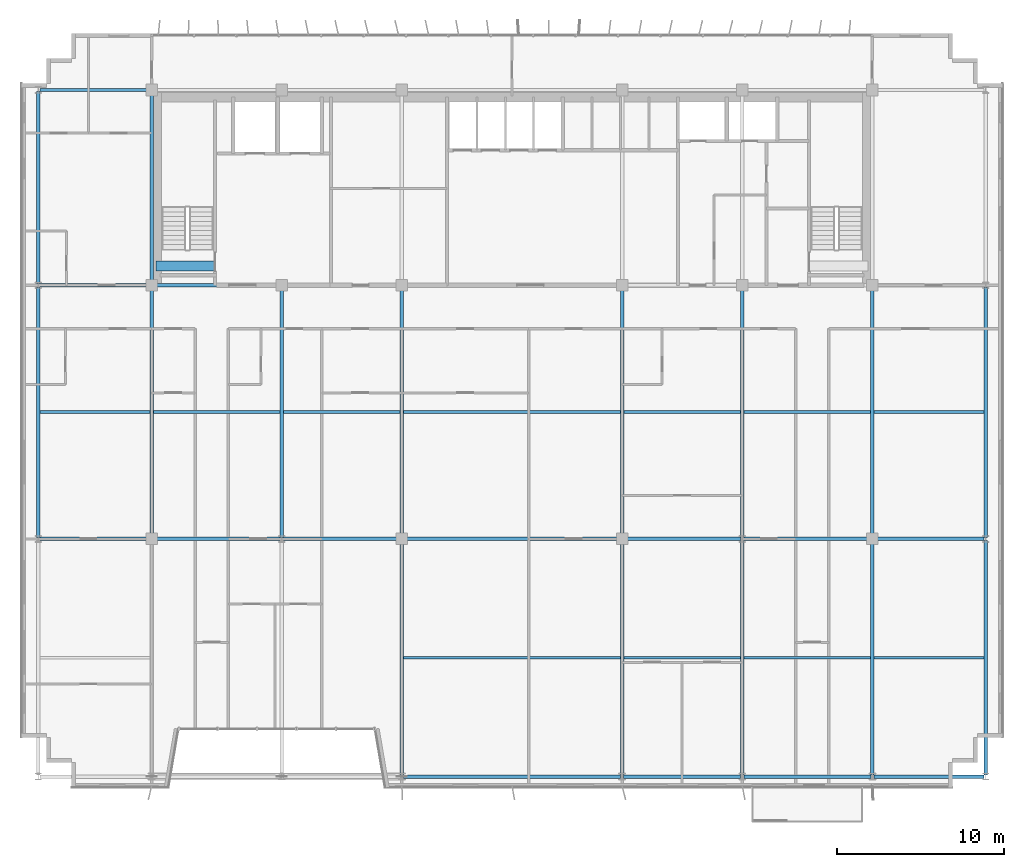
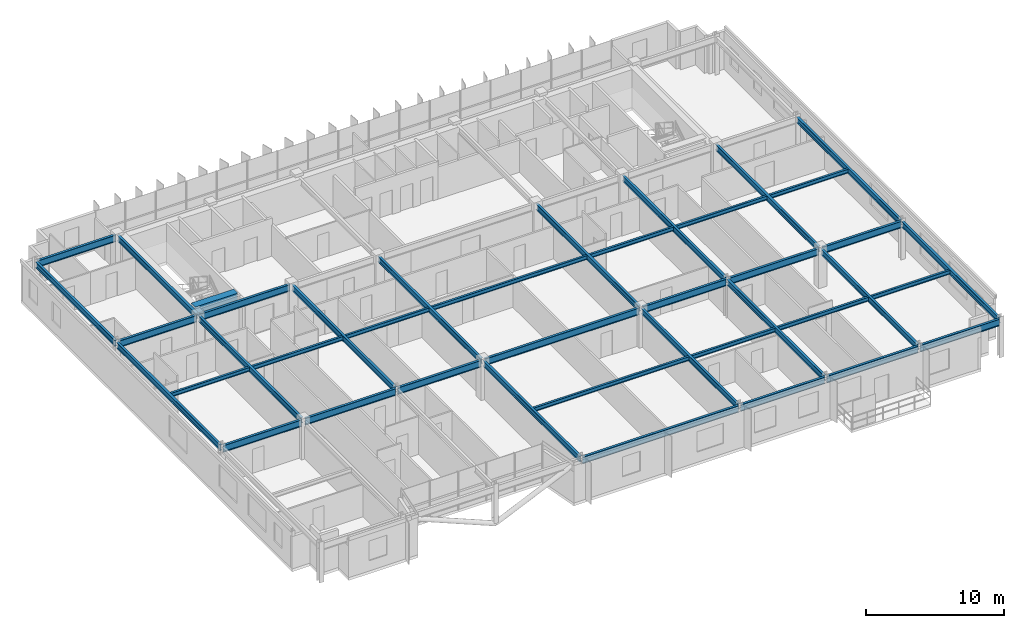
# One storey, part 6 of 24: 41 beams.
"""IFC4 building model written with IfcOpenShell, lengths in metres."""

from ifc_helpers import new_model, si_unit, direction, frame, origin, origin_2d, place, context, subcontext, project, spatial, rectangle, i_section, extrude, source, transform, mapped, material, material_profile, profile_set, type_object, element, save


model = new_model("IFC4")

# Units and contexts
model_context = context("Model", 3, precision=1e-05, world=origin(), true_north=direction((0.0, 1.0)))
body_context = subcontext(model_context, "Body", "Model", "MODEL_VIEW")
ifc_project = project(units=[si_unit("LENGTHUNIT", "METRE"), si_unit("AREAUNIT", "SQUARE_METRE"), si_unit("VOLUMEUNIT", "CUBIC_METRE"), si_unit("PLANEANGLEUNIT", "RADIAN"), si_unit("MASSUNIT", "GRAM", prefix="KILO")], contexts=[model_context])

# Site, building, storey
site_placement = place(None, origin())
site = spatial("IfcSite", under=ifc_project, at=site_placement, CompositionType="ELEMENT")
building_placement = place(site_placement, origin())
building = spatial("IfcBuilding", under=site, at=building_placement, Name="Trelvane Seafront Commons", CompositionType="ELEMENT")
storey_placement = place(building_placement, frame((0.0, 0.0, 175.300048828125)))
storey = spatial("IfcBuildingStorey", under=building, at=storey_placement, Name="L46", CompositionType="ELEMENT", Elevation=175.300048828125)

# Beams
ifc_material_1 = material(Name="Concrete C60/75", Category="concrete")
ifc_material_profile_1 = material_profile(ifc_material_1, rectangle(XDim=0.60009765625, YDim=0.89990234375, at=origin_2d()), Name="RC-600x900")
ifc_profile_set_1 = profile_set([ifc_material_profile_1], Name="Concrete C60/75")
beam_type_1 = type_object("IfcBeamType", Name="STR-LNT-RC600x900", PredefinedType="LINTEL", material=ifc_profile_set_1)
shared_shape_1 = source(origin(), body_context, "Body", "SweptSolid", [
    extrude(rectangle(XDim=0.60009765625, YDim=0.89990234375, at=origin_2d()), origin(), (0.0, 0.0, 1.0), 3.5498046875),
])
beam_1_placement = place(storey_placement, frame((15.85009765625, 34.550048828125, 2.89990234375), z_axis=(1.0, 0.0, 0.0), x_axis=(0.0, 1.0, 0.0)))
element("IfcBeam", 1, at=beam_1_placement, inside=storey, type_object=beam_type_1, Name="L46 Core Coupling Lintel Beam CB-65", PredefinedType="LINTEL", context=body_context, shape_type="MappedRepresentation", body=[
    mapped(shared_shape_1, transform((0.0, 0.0, 0.0), x_axis=(1.0, 0.0, 0.0), y_axis=(0.0, 1.0, 0.0), z_axis=(0.0, 0.0, 1.0), scale=1.0)),
])
ifc_material_2 = material(Name="Steel SM355 (S355)", Category="steel")
ifc_material_profile_2 = material_profile(ifc_material_2, i_section(OverallWidth=0.199951171875, OverallDepth=0.5, WebThickness=0.010009765625, FlangeThickness=0.01611328125, at=origin_2d()), Name="H-500x200x10x16")
ifc_profile_set_2 = profile_set([ifc_material_profile_2], Name="Steel SM355 (S355)")
beam_type_2 = type_object("IfcBeamType", Name="STR-BM-H500", PredefinedType="BEAM", material=ifc_profile_set_2)
shared_shape_2 = source(origin(), body_context, "Body", "SweptSolid", [
    extrude(i_section(OverallWidth=0.199951171875, OverallDepth=0.5, WebThickness=0.010009765625, FlangeThickness=0.01611328125, at=origin_2d()), origin(), (0.0, 0.0, 1.0), 14.89990234375),
])
for number, where, z_axis, x_axis, name in (
    (2, (15.60009765625, 18.35009765625, 3.099853515625), (0.0, 1.0, 0.0), (-1.0, 0.0, 0.0), "L46 Primary Girder G-33"),
    (3, (30.60009765625, 18.35009765625, 3.099853515625), (0.0, 1.0, 0.0), (-1.0, 0.0, 0.0), "L46 Primary Girder G-39"),
    (4, (43.800048828125, 18.35009765625, 3.099853515625), (0.0, 1.0, 0.0), (-1.0, 0.0, 0.0), "L46 Primary Girder G-42"),
    (5, (58.800048828125, 18.35009765625, 3.099853515625), (0.0, 1.0, 0.0), (-1.0, 0.0, 0.0), "L46 Primary Girder G-48"),
):
    element("IfcBeam", number, at=place(storey_placement, frame(where, z_axis=z_axis, x_axis=x_axis)), inside=storey, type_object=beam_type_2, Name=name, PredefinedType="BEAM", context=body_context, shape_type="MappedRepresentation", body=[
        mapped(shared_shape_2, transform((0.0, 0.0, 0.0), x_axis=(1.0, 0.0, 0.0), y_axis=(0.0, 1.0, 0.0), z_axis=(0.0, 0.0, 1.0), scale=1.0)),
    ])
shared_shape_3 = source(origin(), body_context, "Body", "SweptSolid", [
    extrude(i_section(OverallWidth=0.199951171875, OverallDepth=0.5, WebThickness=0.010009765625, FlangeThickness=0.01611328125, at=origin_2d()), origin(), (0.0, 0.0, 1.0), 11.39990234375),
])
beam_2_placement = place(storey_placement, frame((15.60009765625, 33.550048828125, 3.099853515625), z_axis=(0.0, 1.0, 0.0), x_axis=(-1.0, 0.0, 0.0)))
element("IfcBeam", 6, at=beam_2_placement, inside=storey, type_object=beam_type_2, Name="L46 Primary Girder G-34", PredefinedType="BEAM", context=body_context, shape_type="MappedRepresentation", body=[
    mapped(shared_shape_3, transform((0.0, 0.0, 0.0), x_axis=(1.0, 0.0, 0.0), y_axis=(0.0, 1.0, 0.0), z_axis=(0.0, 0.0, 1.0), scale=1.0)),
])
ifc_material_profile_3 = material_profile(ifc_material_2, i_section(OverallWidth=0.175048828125, OverallDepth=0.35009765625, WebThickness=0.007080078125, FlangeThickness=0.010986328125, at=origin_2d()), Name="H-350x175x7x11")
ifc_profile_set_3 = profile_set([ifc_material_profile_3], Name="Steel SM355 (S355)")
beam_type_3 = type_object("IfcBeamType", Name="STR-JST-H350", PredefinedType="JOIST", material=ifc_profile_set_3)
shared_shape_4 = source(origin(), body_context, "Body", "SweptSolid", [
    extrude(i_section(OverallWidth=0.175048828125, OverallDepth=0.35009765625, WebThickness=0.007080078125, FlangeThickness=0.010986328125, at=origin_2d()), origin(), (0.0, 0.0, 1.0), 6.60009765625),
])
for number, where, z_axis, x_axis, name in (
    (7, (58.89990234375, 11.074951171875, 3.175048828125), (1.0, 0.0, 0.0), (0.0, 1.0, 0.0), "L46 Secondary Floor Joist B-57"),
    (8, (8.89990234375, 25.800048828125, 3.175048828125), (1.0, 0.0, 0.0), (0.0, 1.0, 0.0), "L46 Secondary Floor Joist B-58"),
    (9, (58.89990234375, 25.800048828125, 3.175048828125), (1.0, 0.0, 0.0), (0.0, 1.0, 0.0), "L46 Secondary Floor Joist B-64"),
):
    element("IfcBeam", number, at=place(storey_placement, frame(where, z_axis=z_axis, x_axis=x_axis)), inside=storey, type_object=beam_type_3, Name=name, PredefinedType="JOIST", context=body_context, shape_type="MappedRepresentation", body=[
        mapped(shared_shape_4, transform((0.0, 0.0, 0.0), x_axis=(1.0, 0.0, 0.0), y_axis=(0.0, 1.0, 0.0), z_axis=(0.0, 0.0, 1.0), scale=1.0)),
    ])
shared_shape_5 = source(origin(), body_context, "Body", "SweptSolid", [
    extrude(i_section(OverallWidth=0.175048828125, OverallDepth=0.35009765625, WebThickness=0.007080078125, FlangeThickness=0.010986328125, at=origin_2d()), origin(), (0.0, 0.0, 1.0), 7.60009765625),
])
beam_3_placement = place(storey_placement, frame((15.699951171875, 25.800048828125, 3.175048828125), z_axis=(1.0, 0.0, 0.0), x_axis=(0.0, 1.0, 0.0)))
element("IfcBeam", 10, at=beam_3_placement, inside=storey, type_object=beam_type_3, Name="L46 Secondary Floor Joist B-59", PredefinedType="JOIST", context=body_context, shape_type="MappedRepresentation", body=[
    mapped(shared_shape_5, transform((0.0, 0.0, 0.0), x_axis=(1.0, 0.0, 0.0), y_axis=(0.0, 1.0, 0.0), z_axis=(0.0, 0.0, 1.0), scale=1.0)),
])
shared_shape_6 = source(origin(), body_context, "Body", "SweptSolid", [
    extrude(i_section(OverallWidth=0.175048828125, OverallDepth=0.35009765625, WebThickness=0.007080078125, FlangeThickness=0.010986328125, at=origin_2d()), origin(), (0.0, 0.0, 1.0), 7.0),
])
for number, where, z_axis, x_axis, name in (
    (11, (43.89990234375, 11.074951171875, 3.175048828125), (1.0, 0.0, 0.0), (0.0, 1.0, 0.0), "L46 Secondary Floor Joist B-55"),
    (12, (23.5, 25.800048828125, 3.175048828125), (1.0, 0.0, 0.0), (0.0, 1.0, 0.0), "L46 Secondary Floor Joist B-60"),
    (13, (43.89990234375, 25.800048828125, 3.175048828125), (1.0, 0.0, 0.0), (0.0, 1.0, 0.0), "L46 Secondary Floor Joist B-62"),
):
    element("IfcBeam", number, at=place(storey_placement, frame(where, z_axis=z_axis, x_axis=x_axis)), inside=storey, type_object=beam_type_3, Name=name, PredefinedType="JOIST", context=body_context, shape_type="MappedRepresentation", body=[
        mapped(shared_shape_6, transform((0.0, 0.0, 0.0), x_axis=(1.0, 0.0, 0.0), y_axis=(0.0, 1.0, 0.0), z_axis=(0.0, 0.0, 1.0), scale=1.0)),
    ])
shared_shape_7 = source(origin(), body_context, "Body", "SweptSolid", [
    extrude(i_section(OverallWidth=0.175048828125, OverallDepth=0.35009765625, WebThickness=0.007080078125, FlangeThickness=0.010986328125, at=origin_2d()), origin(), (0.0, 0.0, 1.0), 13.0),
])
for number, where, z_axis, x_axis, name in (
    (14, (30.699951171875, 11.074951171875, 3.175048828125), (1.0, 0.0, 0.0), (0.0, 1.0, 0.0), "L46 Secondary Floor Joist B-54"),
    (15, (30.699951171875, 25.800048828125, 3.175048828125), (1.0, 0.0, 0.0), (0.0, 1.0, 0.0), "L46 Secondary Floor Joist B-61"),
):
    element("IfcBeam", number, at=place(storey_placement, frame(where, z_axis=z_axis, x_axis=x_axis)), inside=storey, type_object=beam_type_3, Name=name, PredefinedType="JOIST", context=body_context, shape_type="MappedRepresentation", body=[
        mapped(shared_shape_7, transform((0.0, 0.0, 0.0), x_axis=(1.0, 0.0, 0.0), y_axis=(0.0, 1.0, 0.0), z_axis=(0.0, 0.0, 1.0), scale=1.0)),
    ])
shared_shape_8 = source(origin(), body_context, "Body", "SweptSolid", [
    extrude(i_section(OverallWidth=0.175048828125, OverallDepth=0.35009765625, WebThickness=0.007080078125, FlangeThickness=0.010986328125, at=origin_2d()), origin(), (0.0, 0.0, 1.0), 7.599853515625),
])
for number, where, z_axis, x_axis, name in (
    (16, (51.10009765625, 11.074951171875, 3.175048828125), (1.0, 0.0, 0.0), (0.0, 1.0, 0.0), "L46 Secondary Floor Joist B-56"),
    (17, (51.10009765625, 25.800048828125, 3.175048828125), (1.0, 0.0, 0.0), (0.0, 1.0, 0.0), "L46 Secondary Floor Joist B-63"),
):
    element("IfcBeam", number, at=place(storey_placement, frame(where, z_axis=z_axis, x_axis=x_axis)), inside=storey, type_object=beam_type_3, Name=name, PredefinedType="JOIST", context=body_context, shape_type="MappedRepresentation", body=[
        mapped(shared_shape_8, transform((0.0, 0.0, 0.0), x_axis=(1.0, 0.0, 0.0), y_axis=(0.0, 1.0, 0.0), z_axis=(0.0, 0.0, 1.0), scale=1.0)),
    ])
ifc_material_profile_4 = material_profile(ifc_material_2, i_section(OverallWidth=0.199951171875, OverallDepth=0.60009765625, WebThickness=0.010986328125, FlangeThickness=0.01708984375, at=origin_2d()), Name="H-600x200x11x17")
ifc_profile_set_4 = profile_set([ifc_material_profile_4], Name="Steel SM355 (S355)")
beam_type_4 = type_object("IfcBeamType", Name="STR-SPD-H600", PredefinedType="SPANDREL", material=ifc_profile_set_4)
shared_shape_9 = source(origin(), body_context, "Body", "SweptSolid", [
    extrude(i_section(OverallWidth=0.199951171875, OverallDepth=0.60009765625, WebThickness=0.010986328125, FlangeThickness=0.01708984375, at=origin_2d()), origin(), (0.0, 0.0, 1.0), 6.60986328125),
])
beam_4_placement = place(storey_placement, frame((58.89501953125, 3.949951171875, 3.050048828125), z_axis=(1.0, 0.0, 0.0), x_axis=(0.0, 1.0, 0.0)))
element("IfcBeam", 18, at=beam_4_placement, inside=storey, type_object=beam_type_4, Name="L46 Primary Girder G-07", PredefinedType="SPANDREL", context=body_context, shape_type="MappedRepresentation", body=[
    mapped(shared_shape_9, transform((0.0, 0.0, 0.0), x_axis=(1.0, 0.0, 0.0), y_axis=(0.0, 1.0, 0.0), z_axis=(0.0, 0.0, 1.0), scale=1.0)),
])
shared_shape_10 = source(origin(), body_context, "Body", "SweptSolid", [
    extrude(i_section(OverallWidth=0.199951171875, OverallDepth=0.60009765625, WebThickness=0.010986328125, FlangeThickness=0.01708984375, at=origin_2d()), origin(), (0.0, 0.0, 1.0), 13.010009765625),
])
beam_5_placement = place(storey_placement, frame((30.695068359375, 3.949951171875, 3.050048828125), z_axis=(1.0, 0.0, 0.0), x_axis=(0.0, 1.0, 0.0)))
element("IfcBeam", 19, at=beam_5_placement, inside=storey, type_object=beam_type_4, Name="L46 Primary Girder G-04", PredefinedType="SPANDREL", context=body_context, shape_type="MappedRepresentation", body=[
    mapped(shared_shape_10, transform((0.0, 0.0, 0.0), x_axis=(1.0, 0.0, 0.0), y_axis=(0.0, 1.0, 0.0), z_axis=(0.0, 0.0, 1.0), scale=1.0)),
])
shared_shape_11 = source(origin(), body_context, "Body", "SweptSolid", [
    extrude(i_section(OverallWidth=0.199951171875, OverallDepth=0.60009765625, WebThickness=0.010986328125, FlangeThickness=0.01708984375, at=origin_2d()), origin(), (0.0, 0.0, 1.0), 7.010009765625),
])
beam_6_placement = place(storey_placement, frame((43.89501953125, 3.949951171875, 3.050048828125), z_axis=(1.0, 0.0, 0.0), x_axis=(0.0, 1.0, 0.0)))
element("IfcBeam", 20, at=beam_6_placement, inside=storey, type_object=beam_type_4, Name="L46 Primary Girder G-05", PredefinedType="SPANDREL", context=body_context, shape_type="MappedRepresentation", body=[
    mapped(shared_shape_11, transform((0.0, 0.0, 0.0), x_axis=(1.0, 0.0, 0.0), y_axis=(0.0, 1.0, 0.0), z_axis=(0.0, 0.0, 1.0), scale=1.0)),
])
shared_shape_12 = source(origin(), body_context, "Body", "SweptSolid", [
    extrude(i_section(OverallWidth=0.199951171875, OverallDepth=0.60009765625, WebThickness=0.010986328125, FlangeThickness=0.01708984375, at=origin_2d()), origin(), (0.0, 0.0, 1.0), 7.610107421875),
])
beam_7_placement = place(storey_placement, frame((51.094970703125, 3.949951171875, 3.050048828125), z_axis=(1.0, 0.0, 0.0), x_axis=(0.0, 1.0, 0.0)))
element("IfcBeam", 21, at=beam_7_placement, inside=storey, type_object=beam_type_4, Name="L46 Primary Girder G-06", PredefinedType="SPANDREL", context=body_context, shape_type="MappedRepresentation", body=[
    mapped(shared_shape_12, transform((0.0, 0.0, 0.0), x_axis=(1.0, 0.0, 0.0), y_axis=(0.0, 1.0, 0.0), z_axis=(0.0, 0.0, 1.0), scale=1.0)),
])
shared_shape_13 = source(origin(), body_context, "Body", "SweptSolid", [
    extrude(i_section(OverallWidth=0.199951171875, OverallDepth=0.60009765625, WebThickness=0.010986328125, FlangeThickness=0.01708984375, at=origin_2d()), origin(), (0.0, 0.0, 1.0), 6.554931640625),
])
for number, where, z_axis, x_axis, name in (
    (22, (8.89501953125, 18.199951171875, 3.050048828125), (1.0, 0.0, 0.0), (0.0, 1.0, 0.0), "L46 Primary Girder G-08"),
    (23, (58.949951171875, 18.199951171875, 3.050048828125), (1.0, 0.0, 0.0), (0.0, 1.0, 0.0), "L46 Primary Girder G-14"),
    (24, (8.89501953125, 33.39990234375, 3.050048828125), (1.0, 0.0, 0.0), (0.0, 1.0, 0.0), "L46 Primary Girder G-15"),
    (25, (8.89501953125, 45.10009765625, 3.050048828125), (1.0, 0.0, 0.0), (0.0, 1.0, 0.0), "L46 Primary Girder G-22"),
):
    element("IfcBeam", number, at=place(storey_placement, frame(where, z_axis=z_axis, x_axis=x_axis)), inside=storey, type_object=beam_type_4, Name=name, PredefinedType="SPANDREL", context=body_context, shape_type="MappedRepresentation", body=[
        mapped(shared_shape_13, transform((0.0, 0.0, 0.0), x_axis=(1.0, 0.0, 0.0), y_axis=(0.0, 1.0, 0.0), z_axis=(0.0, 0.0, 1.0), scale=1.0)),
    ])
shared_shape_14 = source(origin(), body_context, "Body", "SweptSolid", [
    extrude(i_section(OverallWidth=0.199951171875, OverallDepth=0.60009765625, WebThickness=0.010986328125, FlangeThickness=0.01708984375, at=origin_2d()), origin(), (0.0, 0.0, 1.0), 7.554931640625),
])
for number, where, z_axis, x_axis, name in (
    (26, (15.75, 18.199951171875, 3.050048828125), (1.0, 0.0, 0.0), (0.0, 1.0, 0.0), "L46 Primary Girder G-09"),
    (27, (51.094970703125, 18.199951171875, 3.050048828125), (1.0, 0.0, 0.0), (0.0, 1.0, 0.0), "L46 Primary Girder G-13"),
):
    element("IfcBeam", number, at=place(storey_placement, frame(where, z_axis=z_axis, x_axis=x_axis)), inside=storey, type_object=beam_type_4, Name=name, PredefinedType="SPANDREL", context=body_context, shape_type="MappedRepresentation", body=[
        mapped(shared_shape_14, transform((0.0, 0.0, 0.0), x_axis=(1.0, 0.0, 0.0), y_axis=(0.0, 1.0, 0.0), z_axis=(0.0, 0.0, 1.0), scale=1.0)),
    ])
shared_shape_15 = source(origin(), body_context, "Body", "SweptSolid", [
    extrude(i_section(OverallWidth=0.199951171875, OverallDepth=0.60009765625, WebThickness=0.010986328125, FlangeThickness=0.01708984375, at=origin_2d()), origin(), (0.0, 0.0, 1.0), 6.954833984375),
])
beam_8_placement = place(storey_placement, frame((23.4951171875, 18.199951171875, 3.050048828125), z_axis=(1.0, 0.0, 0.0), x_axis=(0.0, 1.0, 0.0)))
element("IfcBeam", 28, at=beam_8_placement, inside=storey, type_object=beam_type_4, Name="L46 Primary Girder G-10", PredefinedType="SPANDREL", context=body_context, shape_type="MappedRepresentation", body=[
    mapped(shared_shape_15, transform((0.0, 0.0, 0.0), x_axis=(1.0, 0.0, 0.0), y_axis=(0.0, 1.0, 0.0), z_axis=(0.0, 0.0, 1.0), scale=1.0)),
])
shared_shape_16 = source(origin(), body_context, "Body", "SweptSolid", [
    extrude(i_section(OverallWidth=0.199951171875, OverallDepth=0.60009765625, WebThickness=0.010986328125, FlangeThickness=0.01708984375, at=origin_2d()), origin(), (0.0, 0.0, 1.0), 12.89990234375),
])
beam_9_placement = place(storey_placement, frame((30.75, 18.199951171875, 3.050048828125), z_axis=(1.0, 0.0, 0.0), x_axis=(0.0, 1.0, 0.0)))
element("IfcBeam", 29, at=beam_9_placement, inside=storey, type_object=beam_type_4, Name="L46 Primary Girder G-11", PredefinedType="SPANDREL", context=body_context, shape_type="MappedRepresentation", body=[
    mapped(shared_shape_16, transform((0.0, 0.0, 0.0), x_axis=(1.0, 0.0, 0.0), y_axis=(0.0, 1.0, 0.0), z_axis=(0.0, 0.0, 1.0), scale=1.0)),
])
shared_shape_17 = source(origin(), body_context, "Body", "SweptSolid", [
    extrude(i_section(OverallWidth=0.199951171875, OverallDepth=0.60009765625, WebThickness=0.010986328125, FlangeThickness=0.01708984375, at=origin_2d()), origin(), (0.0, 0.0, 1.0), 6.955078125),
])
beam_10_placement = place(storey_placement, frame((43.949951171875, 18.199951171875, 3.050048828125), z_axis=(1.0, 0.0, 0.0), x_axis=(0.0, 1.0, 0.0)))
element("IfcBeam", 30, at=beam_10_placement, inside=storey, type_object=beam_type_4, Name="L46 Primary Girder G-12", PredefinedType="SPANDREL", context=body_context, shape_type="MappedRepresentation", body=[
    mapped(shared_shape_17, transform((0.0, 0.0, 0.0), x_axis=(1.0, 0.0, 0.0), y_axis=(0.0, 1.0, 0.0), z_axis=(0.0, 0.0, 1.0), scale=1.0)),
])
shared_shape_18 = source(origin(), body_context, "Body", "SweptSolid", [
    extrude(i_section(OverallWidth=0.199951171875, OverallDepth=0.60009765625, WebThickness=0.010986328125, FlangeThickness=0.01708984375, at=origin_2d()), origin(), (0.0, 0.0, 1.0), 7.5),
])
beam_11_placement = place(storey_placement, frame((15.75, 33.39990234375, 3.050048828125), z_axis=(1.0, 0.0, 0.0), x_axis=(0.0, 1.0, 0.0)))
element("IfcBeam", 31, at=beam_11_placement, inside=storey, type_object=beam_type_4, Name="L46 Primary Girder G-16", PredefinedType="SPANDREL", context=body_context, shape_type="MappedRepresentation", body=[
    mapped(shared_shape_18, transform((0.0, 0.0, 0.0), x_axis=(1.0, 0.0, 0.0), y_axis=(0.0, 1.0, 0.0), z_axis=(0.0, 0.0, 1.0), scale=1.0)),
])
shared_shape_19 = source(origin(), body_context, "Body", "SweptSolid", [
    extrude(i_section(OverallWidth=0.199951171875, OverallDepth=0.5, WebThickness=0.010009765625, FlangeThickness=0.01611328125, at=origin_2d()), origin(), (0.0, 0.0, 1.0), 14.06005859375),
])
for number, where, z_axis, x_axis, name in (
    (32, (51.0, 4.044921875, 3.099853515625), (0.0, 1.0, 0.0), (-1.0, 0.0, 0.0), "L46 Primary Girder G-44"),
    (33, (65.60009765625, 4.044921875, 3.099853515625), (0.0, 1.0, 0.0), (-1.0, 0.0, 0.0), "L46 Primary Girder G-50"),
):
    element("IfcBeam", number, at=place(storey_placement, frame(where, z_axis=z_axis, x_axis=x_axis)), inside=storey, type_object=beam_type_2, Name=name, PredefinedType="BEAM", context=body_context, shape_type="MappedRepresentation", body=[
        mapped(shared_shape_19, transform((0.0, 0.0, 0.0), x_axis=(1.0, 0.0, 0.0), y_axis=(0.0, 1.0, 0.0), z_axis=(0.0, 0.0, 1.0), scale=1.0)),
    ])
shared_shape_20 = source(origin(), body_context, "Body", "SweptSolid", [
    extrude(i_section(OverallWidth=0.199951171875, OverallDepth=0.5, WebThickness=0.010009765625, FlangeThickness=0.01611328125, at=origin_2d()), origin(), (0.0, 0.0, 1.0), 15.010009765625),
])
for number, where, z_axis, x_axis, name in (
    (34, (8.800048828125, 18.294921875, 3.099853515625), (0.0, 1.0, 0.0), (-1.0, 0.0, 0.0), "L46 Primary Girder G-30"),
    (35, (65.60009765625, 18.294921875, 3.099853515625), (0.0, 1.0, 0.0), (-1.0, 0.0, 0.0), "L46 Primary Girder G-51"),
):
    element("IfcBeam", number, at=place(storey_placement, frame(where, z_axis=z_axis, x_axis=x_axis)), inside=storey, type_object=beam_type_2, Name=name, PredefinedType="BEAM", context=body_context, shape_type="MappedRepresentation", body=[
        mapped(shared_shape_20, transform((0.0, 0.0, 0.0), x_axis=(1.0, 0.0, 0.0), y_axis=(0.0, 1.0, 0.0), z_axis=(0.0, 0.0, 1.0), scale=1.0)),
    ])
shared_shape_21 = source(origin(), body_context, "Body", "SweptSolid", [
    extrude(i_section(OverallWidth=0.199951171875, OverallDepth=0.5, WebThickness=0.010009765625, FlangeThickness=0.01611328125, at=origin_2d()), origin(), (0.0, 0.0, 1.0), 11.509765625),
])
beam_12_placement = place(storey_placement, frame((8.800048828125, 33.4951171875, 3.099853515625), z_axis=(0.0, 1.0, 0.0), x_axis=(-1.0, 0.0, 0.0)))
element("IfcBeam", 36, at=beam_12_placement, inside=storey, type_object=beam_type_2, Name="L46 Primary Girder G-31", PredefinedType="BEAM", context=body_context, shape_type="MappedRepresentation", body=[
    mapped(shared_shape_21, transform((0.0, 0.0, 0.0), x_axis=(1.0, 0.0, 0.0), y_axis=(0.0, 1.0, 0.0), z_axis=(0.0, 0.0, 1.0), scale=1.0)),
])
shared_shape_22 = source(origin(), body_context, "Body", "SweptSolid", [
    extrude(i_section(OverallWidth=0.199951171875, OverallDepth=0.5, WebThickness=0.010009765625, FlangeThickness=0.01611328125, at=origin_2d()), origin(), (0.0, 0.0, 1.0), 14.005126953125),
])
for number, where, z_axis, x_axis, name in (
    (37, (30.60009765625, 4.044921875, 3.099853515625), (0.0, 1.0, 0.0), (-1.0, 0.0, 0.0), "L46 Primary Girder G-38"),
    (38, (43.800048828125, 4.044921875, 3.099853515625), (0.0, 1.0, 0.0), (-1.0, 0.0, 0.0), "L46 Primary Girder G-41"),
    (39, (58.800048828125, 4.044921875, 3.099853515625), (0.0, 1.0, 0.0), (-1.0, 0.0, 0.0), "L46 Primary Girder G-47"),
):
    element("IfcBeam", number, at=place(storey_placement, frame(where, z_axis=z_axis, x_axis=x_axis)), inside=storey, type_object=beam_type_2, Name=name, PredefinedType="BEAM", context=body_context, shape_type="MappedRepresentation", body=[
        mapped(shared_shape_22, transform((0.0, 0.0, 0.0), x_axis=(1.0, 0.0, 0.0), y_axis=(0.0, 1.0, 0.0), z_axis=(0.0, 0.0, 1.0), scale=1.0)),
    ])
shared_shape_23 = source(origin(), body_context, "Body", "SweptSolid", [
    extrude(i_section(OverallWidth=0.199951171875, OverallDepth=0.5, WebThickness=0.010009765625, FlangeThickness=0.01611328125, at=origin_2d()), origin(), (0.0, 0.0, 1.0), 14.955078125),
])
for number, where, z_axis, x_axis, name in (
    (40, (23.39990234375, 18.294921875, 3.099853515625), (0.0, 1.0, 0.0), (-1.0, 0.0, 0.0), "L46 Primary Girder G-36"),
    (41, (51.0, 18.294921875, 3.099853515625), (0.0, 1.0, 0.0), (-1.0, 0.0, 0.0), "L46 Primary Girder G-45"),
):
    element("IfcBeam", number, at=place(storey_placement, frame(where, z_axis=z_axis, x_axis=x_axis)), inside=storey, type_object=beam_type_2, Name=name, PredefinedType="BEAM", context=body_context, shape_type="MappedRepresentation", body=[
        mapped(shared_shape_23, transform((0.0, 0.0, 0.0), x_axis=(1.0, 0.0, 0.0), y_axis=(0.0, 1.0, 0.0), z_axis=(0.0, 0.0, 1.0), scale=1.0)),
    ])

save(model, "model.ifc")
